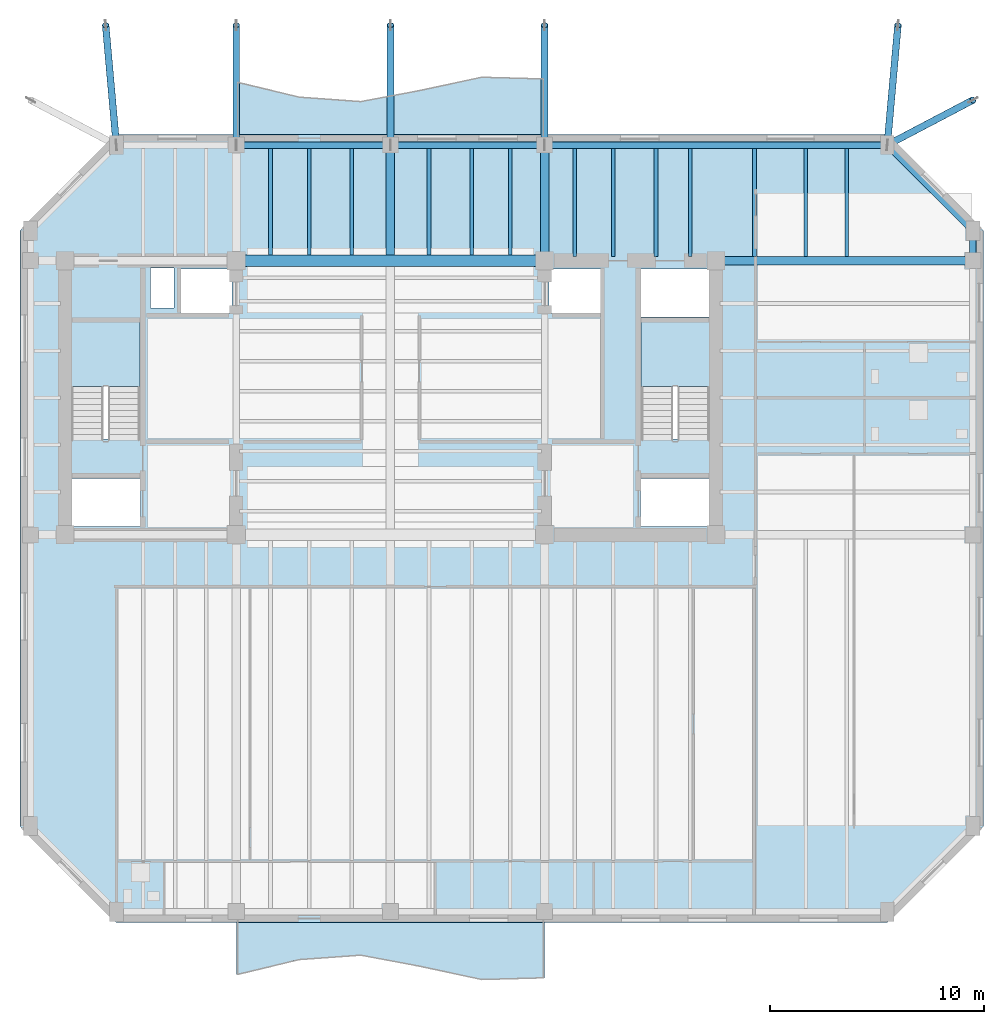
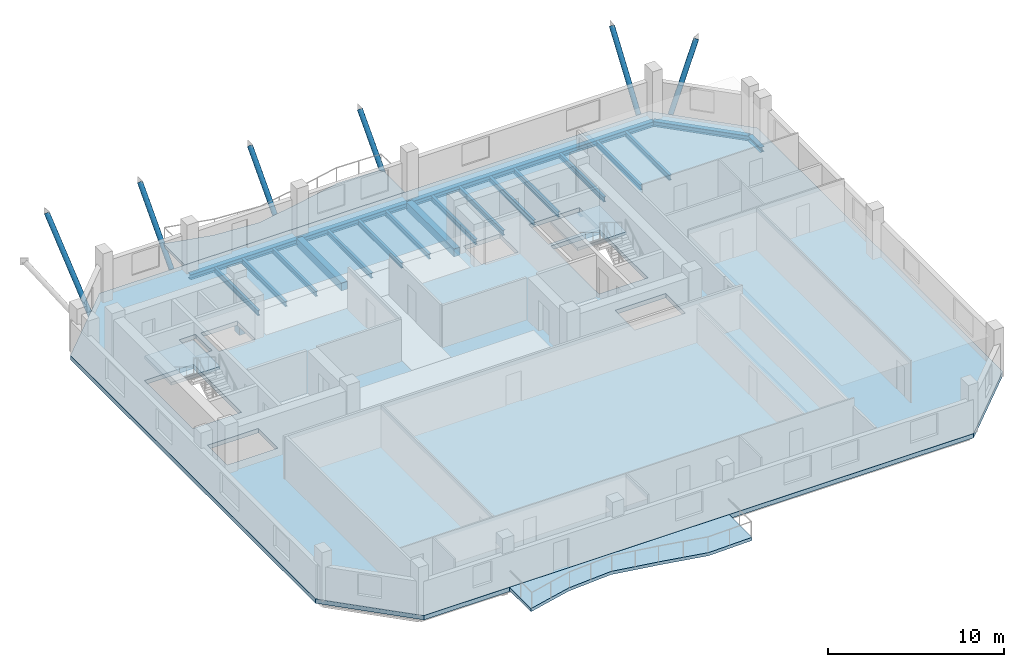
# One storey, part 2 of 11: 22 beams, 6 members, 5 slabs, 2 elements without a shape of their own.
"""IFC4 building model written with IfcOpenShell, lengths in metres."""

from ifc_helpers import new_model, si_unit, direction, frame, origin, origin_2d, place, context, subcontext, project, spatial, polyline, rectangle, hollow_circle, i_section, outline, extrude, material, layer, layer_set, material_profile, profile_set, type_object, element, aggregate, save


model = new_model("IFC4")

# Units and contexts
model_context = context("Model", 3, precision=1e-05, world=origin(), true_north=direction((0.0, 1.0)))
body_context = subcontext(model_context, "Body", "Model", "MODEL_VIEW")
ifc_project = project(units=[si_unit("LENGTHUNIT", "METRE"), si_unit("AREAUNIT", "SQUARE_METRE"), si_unit("VOLUMEUNIT", "CUBIC_METRE"), si_unit("PLANEANGLEUNIT", "RADIAN"), si_unit("MASSUNIT", "GRAM", prefix="KILO")], contexts=[model_context])

# Site, building, storey
site_placement = place(None, origin())
site = spatial("IfcSite", under=ifc_project, at=site_placement, CompositionType="ELEMENT")
building_placement = place(site_placement, origin())
building = spatial("IfcBuilding", under=site, at=building_placement, Name="Kranthara Brick Stack", CompositionType="ELEMENT")
storey_placement = place(building_placement, frame((0.0, 0.0, 244.89990234375)))
storey = spatial("IfcBuildingStorey", under=building, at=storey_placement, Name="L64", CompositionType="ELEMENT", Elevation=244.89990234375)

# Beams
ifc_material_1 = material(Name="Concrete C50/60", Category="concrete")
ifc_material_profile_1 = material_profile(ifc_material_1, rectangle(XDim=0.550048828125, YDim=0.85009765625, at=origin_2d()), Name="RC 550x850")
ifc_profile_set_1 = profile_set([ifc_material_profile_1], Name="Concrete C50/60")
beam_type_1 = type_object("IfcBeamType", Name="BM-CPL-RC850", PredefinedType="LINTEL", material=ifc_profile_set_1)
beam_1_placement = place(storey_placement, frame((20.800048828125, 33.60009765625, -0.724853515625), z_axis=(1.0, 0.0, 0.0), x_axis=(0.0, 1.0, 0.0)))
element("IfcBeam", 1, at=beam_1_placement, inside=storey, type_object=beam_type_1, Name="L64 Core Coupling Beam 002", PredefinedType="LINTEL", context=body_context, shape_type="SweptSolid", body=[
    extrude(rectangle(XDim=0.550048828125, YDim=0.85009765625, at=origin_2d()), origin(), (0.0, 0.0, 1.0), 14.39990234375),
])
ifc_material_2 = material(Name="Post-tensioned concrete C45/55", Category="concrete")
ifc_material_profile_2 = material_profile(ifc_material_2, rectangle(XDim=0.39990234375, YDim=0.550048828125, at=origin_2d()), Name="PT 400x550")
ifc_profile_set_2 = profile_set([ifc_material_profile_2], Name="Post-tensioned concrete C45/55")
beam_type_2 = type_object("IfcBeamType", Name="BM-FLR-PT550", PredefinedType="BEAM", material=ifc_profile_set_2)
beam_2_placement = place(storey_placement, frame((28.0, 33.875, -0.574951171875), z_axis=(0.0, 1.0, 0.0), x_axis=(-1.0, 0.0, 0.0)))
element("IfcBeam", 2, at=beam_2_placement, inside=storey, type_object=beam_type_2, Name="L64 Primary Grid Girder 027", PredefinedType="BEAM", context=body_context, shape_type="SweptSolid", body=[
    extrude(rectangle(XDim=0.39990234375, YDim=0.550048828125, at=origin_2d()), origin(), (0.0, 0.0, 1.0), 5.125),
])
beam_3_placement = place(storey_placement, frame((35.199951171875, 33.60009765625, -0.574951171875), z_axis=(0.0, 1.0, 0.0), x_axis=(-1.0, 0.0, 0.0)))
element("IfcBeam", 3, at=beam_3_placement, inside=storey, type_object=beam_type_2, Name="L64 Primary Grid Girder 029", PredefinedType="BEAM", context=body_context, shape_type="SweptSolid", body=[
    extrude(rectangle(XDim=0.39990234375, YDim=0.550048828125, at=origin_2d()), origin(), (0.0, 0.0, 1.0), 5.39990234375),
])
beam_4_placement = place(storey_placement, frame((43.199951171875, 33.60009765625, -0.574951171875), z_axis=(1.0, 0.0, 0.0), x_axis=(0.0, 1.0, 0.0)))
element("IfcBeam", 4, at=beam_4_placement, inside=storey, type_object=beam_type_2, Name="L64 Primary Grid Girder 033", PredefinedType="BEAM", context=body_context, shape_type="SweptSolid", body=[
    extrude(rectangle(XDim=0.39990234375, YDim=0.550048828125, at=origin_2d()), origin(), (0.0, 0.0, 1.0), 12.0),
])
ifc_material_3 = material(Name="Steel S355", Category="steel")
ifc_material_profile_3 = material_profile(ifc_material_3, i_section(OverallWidth=0.169921875, OverallDepth=0.360107421875, WebThickness=0.008056640625, FlangeThickness=0.0126953125, at=origin_2d()), Name="IPE 360")
ifc_profile_set_3 = profile_set([ifc_material_profile_3], Name="Steel S355")
beam_type_3 = type_object("IfcBeamType", Name="BM-JST-IPE360", PredefinedType="JOIST", material=ifc_profile_set_3)
for number, where, z_axis, x_axis, name in (
    (5, (22.39990234375, 33.875, -0.47998046875), (0.0, 1.0, 0.0), (-1.0, 0.0, 0.0), "L64 North Wing Floor Joist 059"),
    (6, (24.199951171875, 33.875, -0.47998046875), (0.0, 1.0, 0.0), (-1.0, 0.0, 0.0), "L64 North Wing Floor Joist 061"),
    (7, (26.199951171875, 33.875, -0.47998046875), (0.0, 1.0, 0.0), (-1.0, 0.0, 0.0), "L64 North Wing Floor Joist 063"),
    (8, (29.800048828125, 33.875, -0.47998046875), (0.0, 1.0, 0.0), (-1.0, 0.0, 0.0), "L64 North Wing Floor Joist 065"),
    (9, (31.800048828125, 33.875, -0.47998046875), (0.0, 1.0, 0.0), (-1.0, 0.0, 0.0), "L64 North Wing Floor Joist 067"),
    (10, (33.60009765625, 33.875, -0.47998046875), (0.0, 1.0, 0.0), (-1.0, 0.0, 0.0), "L64 North Wing Floor Joist 069"),
):
    element("IfcBeam", number, at=place(storey_placement, frame(where, z_axis=z_axis, x_axis=x_axis)), inside=storey, type_object=beam_type_3, Name=name, PredefinedType="JOIST", context=body_context, shape_type="SweptSolid", body=[
        extrude(i_section(OverallWidth=0.169921875, OverallDepth=0.360107421875, WebThickness=0.008056640625, FlangeThickness=0.0126953125, at=origin_2d()), origin(), (0.0, 0.0, 1.0), 4.97509765625),
    ])
for number, where, z_axis, x_axis, name in (
    (11, (36.60009765625, 33.800048828125, -0.47998046875), (0.0, 1.0, 0.0), (-1.0, 0.0, 0.0), "L64 North Wing Floor Joist 071"),
    (12, (38.39990234375, 33.800048828125, -0.47998046875), (0.0, 1.0, 0.0), (-1.0, 0.0, 0.0), "L64 North Wing Floor Joist 073"),
    (13, (40.39990234375, 33.800048828125, -0.47998046875), (0.0, 1.0, 0.0), (-1.0, 0.0, 0.0), "L64 North Wing Floor Joist 075"),
    (14, (42.0, 33.800048828125, -0.47998046875), (0.0, 1.0, 0.0), (-1.0, 0.0, 0.0), "L64 North Wing Floor Joist 077"),
    (15, (45.0, 33.800048828125, -0.47998046875), (0.0, 1.0, 0.0), (-1.0, 0.0, 0.0), "L64 North Wing Floor Joist 079"),
    (16, (47.39990234375, 33.800048828125, -0.47998046875), (0.0, 1.0, 0.0), (-1.0, 0.0, 0.0), "L64 North Wing Floor Joist 081"),
    (17, (49.300048828125, 33.800048828125, -0.47998046875), (0.0, 1.0, 0.0), (-1.0, 0.0, 0.0), "L64 North Wing Floor Joist 083"),
):
    element("IfcBeam", number, at=place(storey_placement, frame(where, z_axis=z_axis, x_axis=x_axis)), inside=storey, type_object=beam_type_3, Name=name, PredefinedType="JOIST", context=body_context, shape_type="SweptSolid", body=[
        extrude(i_section(OverallWidth=0.169921875, OverallDepth=0.360107421875, WebThickness=0.008056640625, FlangeThickness=0.0126953125, at=origin_2d()), origin(), (0.0, 0.0, 1.0), 5.050048828125),
    ])
ifc_material_4 = material(Name="Steel S355", Category="steel")
ifc_material_profile_4 = material_profile(ifc_material_4, i_section(OverallWidth=0.300048828125, OverallDepth=0.360107421875, WebThickness=0.012451171875, FlangeThickness=0.0224609375, at=origin_2d()), Name="HEB 360")
ifc_profile_set_4 = profile_set([ifc_material_profile_4], Name="Steel S355")
beam_type_4 = type_object("IfcBeamType", Name="BM-STL-HEB360", PredefinedType="SPANDREL", material=ifc_profile_set_4)
for number, where, z_axis, x_axis, name in (
    (18, (20.800048828125, 39.0, -0.47998046875), (1.0, 0.0, 0.0), (0.0, 1.0, 0.0), "L64 Perimeter Spandrel Beam 010"),
    (19, (28.0, 39.0, -0.47998046875), (1.0, 0.0, 0.0), (0.0, 1.0, 0.0), "L64 Perimeter Spandrel Beam 011"),
):
    element("IfcBeam", number, at=place(storey_placement, frame(where, z_axis=z_axis, x_axis=x_axis)), inside=storey, type_object=beam_type_4, Name=name, PredefinedType="SPANDREL", context=body_context, shape_type="SweptSolid", body=[
        extrude(i_section(OverallWidth=0.300048828125, OverallDepth=0.360107421875, WebThickness=0.012451171875, FlangeThickness=0.0224609375, at=origin_2d()), origin(), (0.0, 0.0, 1.0), 7.199951171875),
    ])
beam_5_placement = place(storey_placement, frame((35.199951171875, 39.0, -0.47998046875), z_axis=(1.0, 0.0, 0.0), x_axis=(0.0, 1.0, 0.0)))
element("IfcBeam", 20, at=beam_5_placement, inside=storey, type_object=beam_type_4, Name="L64 Perimeter Spandrel Beam 012", PredefinedType="SPANDREL", context=body_context, shape_type="SweptSolid", body=[
    extrude(i_section(OverallWidth=0.300048828125, OverallDepth=0.360107421875, WebThickness=0.012451171875, FlangeThickness=0.0224609375, at=origin_2d()), origin(), (0.0, 0.0, 1.0), 16.0),
])
beam_6_placement = place(storey_placement, frame((55.199951171875, 33.60009765625, -0.47998046875), z_axis=(0.0, 1.0, 0.0), x_axis=(-1.0, 0.0, 0.0)))
element("IfcBeam", 21, at=beam_6_placement, inside=storey, type_object=beam_type_4, Name="L64 Perimeter Spandrel Beam 018", PredefinedType="SPANDREL", context=body_context, shape_type="SweptSolid", body=[
    extrude(i_section(OverallWidth=0.300048828125, OverallDepth=0.360107421875, WebThickness=0.012451171875, FlangeThickness=0.0224609375, at=origin_2d()), origin(), (0.0, 0.0, 1.0), 1.39990234375),
])
beam_7_placement = place(storey_placement, frame((51.199951171875, 39.0, -0.47998046875), z_axis=(0.707106781187, -0.707106781187, 0.0), x_axis=(0.707106781187, 0.707106781187, 0.0)))
element("IfcBeam", 22, at=beam_7_placement, inside=storey, type_object=beam_type_4, Name="L64 Chamfer Corner Spandrel 022", PredefinedType="SPANDREL", context=body_context, shape_type="SweptSolid", body=[
    extrude(i_section(OverallWidth=0.300048828125, OverallDepth=0.360107421875, WebThickness=0.012451171875, FlangeThickness=0.0224609375, at=origin_2d()), origin(), (0.0, 0.0, 1.0), 5.65673828125),
])

# Members
ifc_material_5 = material(Name="Steel S355", Category="steel")
ifc_material_profile_5 = material_profile(ifc_material_5, hollow_circle(Radius=0.161865234375, WallThickness=0.01611328125, at=origin_2d()), Name="CHS 323.9x16")
ifc_profile_set_5 = profile_set([ifc_material_profile_5], Name="Steel S355")
member_type = type_object("IfcMemberType", Name="MB-STR-CHS324", PredefinedType="STRUT", material=ifc_profile_set_5)
member_1_placement = place(storey_placement, frame((15.199951171875, 39.0, -3.39990234375), z_axis=(-0.060538639723, 0.678044588846, 0.732523452619), x_axis=(-0.996037842685, -0.088930399417, 0.0)))
element("IfcMember", 23, at=member_1_placement, inside=storey, type_object=member_type, Name="L65 Jenga Raked Transfer Strut 59", PredefinedType="STRUT", context=body_context, shape_type="SweptSolid", body=[
    extrude(hollow_circle(Radius=0.161865234375, WallThickness=0.01611328125, at=origin_2d()), origin(), (0.0, 0.0, 1.0), 8.25927734375),
])
for number, where, z_axis, x_axis, name in (
    (24, (20.800048828125, 39.0, -3.39990234375), (0.0, 0.679290506468, 0.733869476013), (-1.0, 0.0, 0.0), "L65 Jenga Raked Transfer Strut 60"),
    (25, (28.0, 39.0, -3.39990234375), (0.0, 0.679290506468, 0.733869476013), (-1.0, 0.0, 0.0), "L65 Jenga Raked Transfer Strut 61"),
    (26, (35.199951171875, 39.0, -3.39990234375), (0.0, 0.679290506468, 0.733869476013), (-1.0, 0.0, 0.0), "L65 Jenga Raked Transfer Strut 62"),
):
    element("IfcMember", number, at=place(storey_placement, frame(where, z_axis=z_axis, x_axis=x_axis)), inside=storey, type_object=member_type, Name=name, PredefinedType="STRUT", context=body_context, shape_type="SweptSolid", body=[
        extrude(hollow_circle(Radius=0.161865234375, WallThickness=0.01611328125, at=origin_2d()), origin(), (0.0, 0.0, 1.0), 8.244140625),
    ])
member_2_placement = place(storey_placement, frame((51.199951171875, 39.0, -3.39990234375), z_axis=(0.060538639723, 0.678044588846, 0.732523452619), x_axis=(-0.996037842685, 0.088930399417, 0.0)))
element("IfcMember", 27, at=member_2_placement, inside=storey, type_object=member_type, Name="L65 Jenga Raked Transfer Strut 63", PredefinedType="STRUT", context=body_context, shape_type="SweptSolid", body=[
    extrude(hollow_circle(Radius=0.161865234375, WallThickness=0.01611328125, at=origin_2d()), origin(), (0.0, 0.0, 1.0), 8.25927734375),
])
member_3_placement = place(storey_placement, frame((51.199951171875, 39.0, -3.39990234375), z_axis=(0.52975020837, 0.278131792749, 0.801253656837), x_axis=(-0.464850844279, 0.885389006355, 0.0)))
element("IfcMember", 28, at=member_3_placement, inside=storey, type_object=member_type, Name="L65 Jenga Raked Transfer Strut 65", PredefinedType="STRUT", context=body_context, shape_type="SweptSolid", body=[
    extrude(hollow_circle(Radius=0.161865234375, WallThickness=0.01611328125, at=origin_2d()), origin(), (0.0, 0.0, 1.0), 7.55078125),
])

# Slabs
ifc_material_6 = material(Name="Concrete C45/55", Category="concrete")
ifc_layer_1 = layer(ifc_material_6, 0.219970703125)
ifc_layer_set_1 = layer_set([ifc_layer_1], Name="Concrete C45/55")
slab_type_1 = type_object("IfcSlabType", Name="SLB-BALC-220", PredefinedType="FLOOR", material=ifc_layer_set_1)
slab_1_placement = place(storey_placement, frame((0.0, 0.0, -0.219970703125)))
element("IfcSlab", 29, at=slab_1_placement, inside=storey, type_object=slab_type_1, Name="L64 South Rippling Balcony Slab", PredefinedType="FLOOR", context=body_context, shape_type="SweptSolid", body=[
    extrude(outline(polyline([(20.800048828125, 2.699951171875), (35.199951171875, 2.699951171875), (35.199951171875, 0.103759765625), (32.320068359375, 0.018798828125), (29.43994140625, 0.633544921875), (26.56005859375, 1.174560546875), (23.679931640625, 0.961669921875), (20.800048828125, 0.262451171875), (20.800048828125, 2.699951171875)])), origin(), (0.0, 0.0, 1.0), 0.219970703125),
])
slab_2_placement = place(storey_placement, frame((0.0, 0.0, -0.219970703125)))
element("IfcSlab", 30, at=slab_2_placement, inside=storey, type_object=slab_type_1, Name="L64 North Rippling Balcony Slab", PredefinedType="FLOOR", context=body_context, shape_type="SweptSolid", body=[
    extrude(outline(polyline([(35.199951171875, 39.5), (20.800048828125, 39.5), (20.800048828125, 41.9375), (23.679931640625, 41.238525390625), (26.56005859375, 41.025390625), (29.43994140625, 41.56640625), (32.320068359375, 42.18115234375), (35.199951171875, 42.096435546875), (35.199951171875, 39.5)])), origin(), (0.0, 0.0, 1.0), 0.219970703125),
])

# Stair, slab
ifc_material_7 = material(Name="Concrete C45/55", Category="concrete")
stair_type = type_object("IfcStairType", Name="ST-CORE-20R", PredefinedType="HALF_TURN_STAIR", material=ifc_material_7)
stair_1_placement = place(storey_placement, origin())
stair_1 = element("IfcStair", 31, at=stair_1_placement, inside=storey, type_object=stair_type, Name="L64 West Core Protected Exit Stair ST01", PredefinedType="HALF_TURN_STAIR")
ifc_material_8 = material(Name="Concrete C45/55", Category="concrete")
ifc_layer_2 = layer(ifc_material_8, 0.199951171875)
ifc_layer_set_2 = layer_set([ifc_layer_2], Name="Concrete C45/55")
slab_type_2 = type_object("IfcSlabType", Name="SLB-LANDING-200", PredefinedType="LANDING", material=ifc_layer_set_2)
slab_3_placement = place(storey_placement, frame((0.0, 0.0, 1.5)))
slab_3 = element("IfcSlab", 32, at=slab_3_placement, type_object=slab_type_2, Name="ST01 landing 1", PredefinedType="LANDING", context=body_context, shape_type="SweptSolid", body=[
    extrude(outline(polyline([(16.300048828125, 27.719970703125), (16.300048828125, 30.75), (13.10009765625, 30.75), (13.10009765625, 27.719970703125), (16.300048828125, 27.719970703125)])), origin(), (0.0, 0.0, 1.0), 0.2001953125),
])
aggregate(stair_1, [slab_3])

stair_2_placement = place(storey_placement, origin())
stair_2 = element("IfcStair", 33, at=stair_2_placement, inside=storey, type_object=stair_type, Name="L64 East Core Protected Exit Stair ST02", PredefinedType="HALF_TURN_STAIR")
slab_4_placement = place(storey_placement, frame((0.0, 0.0, 1.5)))
slab_4 = element("IfcSlab", 34, at=slab_4_placement, type_object=slab_type_2, Name="ST02 landing 1", PredefinedType="LANDING", context=body_context, shape_type="SweptSolid", body=[
    extrude(outline(polyline([(42.89990234375, 27.719970703125), (42.89990234375, 30.75), (39.699951171875, 30.75), (39.699951171875, 27.719970703125), (42.89990234375, 27.719970703125)])), origin(), (0.0, 0.0, 1.0), 0.2001953125),
])
aggregate(stair_2, [slab_4])

# Slab
ifc_material_9 = material(Name="Post-tensioned concrete C45/55", Category="concrete")
ifc_layer_3 = layer(ifc_material_9, 0.300048828125)
ifc_layer_set_3 = layer_set([ifc_layer_3], Name="Post-tensioned concrete C45/55")
slab_type_3 = type_object("IfcSlabType", Name="SLB-TWR-300", PredefinedType="FLOOR", material=ifc_layer_set_3)
slab_5_placement = place(storey_placement, frame((0.0, 0.0, -0.2998046875)))
element("IfcSlab", 35, at=slab_5_placement, inside=storey, type_object=slab_type_3, Name="L64 Structural Floor Plate", PredefinedType="FLOOR", context=body_context, shape_type="SweptSolid", body=[
    extrude(outline(polyline([(15.199951171875, 2.699951171875), (51.199951171875, 2.699951171875), (55.699951171875, 7.199951171875), (55.699951171875, 35.0), (51.199951171875, 39.5), (15.199951171875, 39.5), (10.699951171875, 35.0), (10.699951171875, 7.199951171875), (15.199951171875, 2.699951171875)]), holes=[polyline([(13.10009765625, 25.280029296875), (16.300048828125, 25.280029296875), (16.300048828125, 30.75), (13.10009765625, 30.75), (13.10009765625, 25.280029296875)]), polyline([(39.699951171875, 25.280029296875), (42.89990234375, 25.280029296875), (42.89990234375, 30.75), (39.699951171875, 30.75), (39.699951171875, 25.280029296875)]), polyline([(13.0, 21.179931640625), (16.320068359375, 21.179931640625), (16.320068359375, 23.419921875), (13.0, 23.419921875), (13.0, 21.179931640625)]), polyline([(39.679931640625, 21.179931640625), (43.0, 21.179931640625), (43.0, 23.419921875), (39.679931640625, 23.419921875), (39.679931640625, 21.179931640625)]), polyline([(39.679931640625, 30.97998046875), (43.0, 30.97998046875), (43.0, 33.219970703125), (39.679931640625, 33.219970703125), (39.679931640625, 30.97998046875)]), polyline([(18.199951171875, 31.14990234375), (20.60009765625, 31.14990234375), (20.60009765625, 33.219970703125), (18.199951171875, 33.219970703125), (18.199951171875, 31.14990234375)]), polyline([(35.39990234375, 31.14990234375), (37.800048828125, 31.14990234375), (37.800048828125, 33.219970703125), (35.39990234375, 33.219970703125), (35.39990234375, 31.14990234375)]), polyline([(16.800048828125, 31.39990234375), (17.89990234375, 31.39990234375), (17.89990234375, 33.25), (16.800048828125, 33.25), (16.800048828125, 31.39990234375)])]), origin(), (0.0, 0.0, 1.0), 0.2998046875),
])

save(model, "model.ifc")
